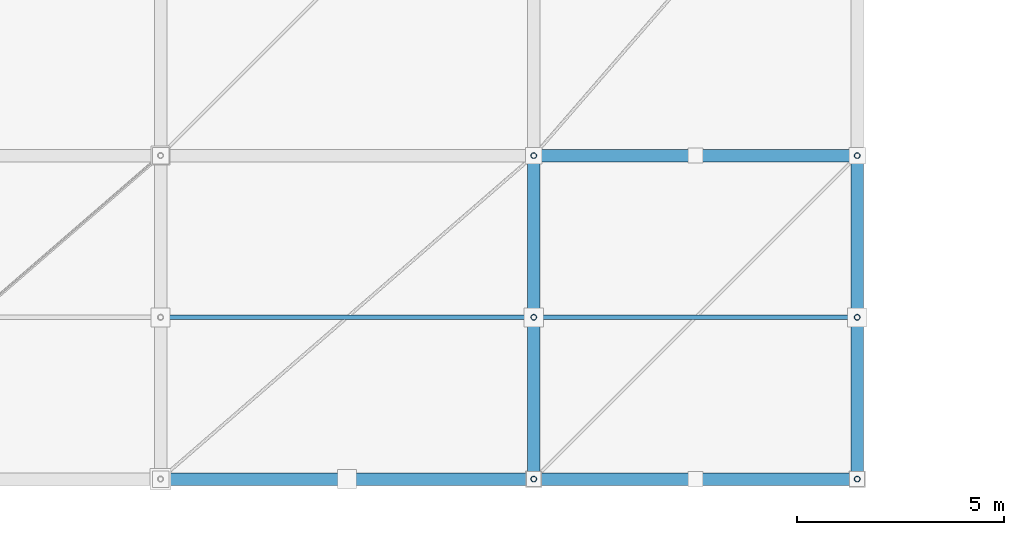
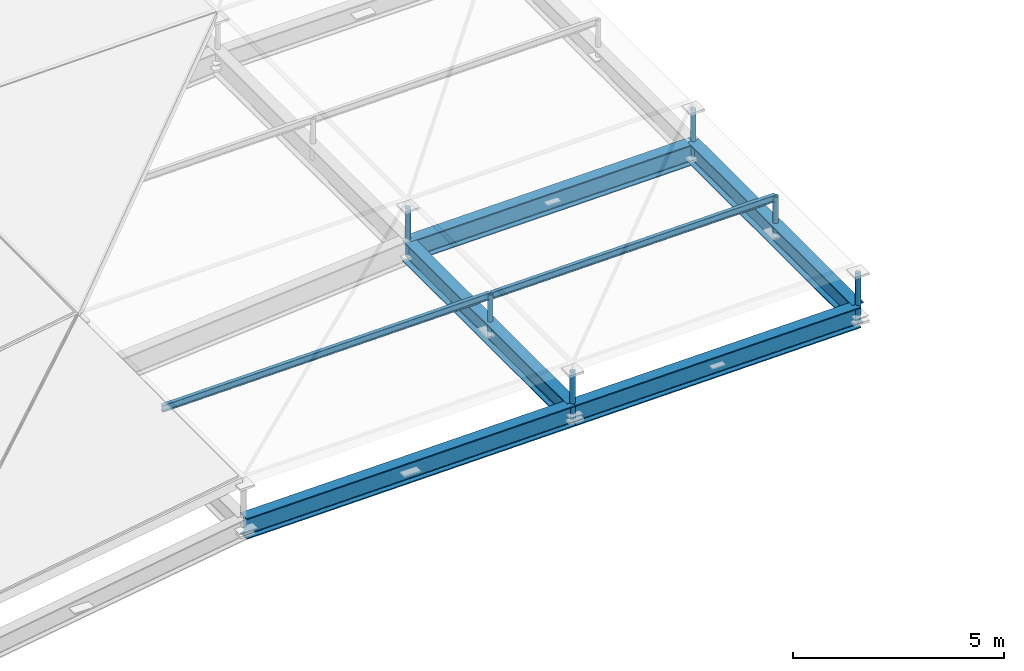
# One storey, part 51 of 80: 8 members, 5 beams.
"""IFC4 building model written with IfcOpenShell, lengths in metres."""

import ifcopenshell
import ifcopenshell.guid

model = None  # the IFC model being written
_history = None  # IfcOwnerHistory: only IFC2X3 demands one
_inside = {}  # id of a spatial element -> (the spatial element, [elements in it])
_under = {}  # id of a project, library or spatial element -> (it, [spatial elements below it])
_declared = {}  # id of a project -> (the project, [libraries it declares])
_typed = {}  # id of a type object -> (the type object, [elements of that type])
_made_of = {}  # id of a material, layer set ... -> (it, [elements and type objects made of it])


def new_model(schema):
    """Start an empty IFC model of exactly this schema.

    Asked for "IFC4X3", IfcOpenShell would pick the latest addendum, in which some entities
    have other attributes; the version numbers below select the first issue.
    IFC2X3 requires an IfcOwnerHistory on every rooted entity: one is made here for all.
    """
    global model, _history
    if schema == "IFC4X3":
        model = ifcopenshell.file(schema_version=(4, 3, 0, 0))
    else:
        model = ifcopenshell.file(schema=schema)
    _inside.clear()
    _under.clear()
    _declared.clear()
    _typed.clear()
    _made_of.clear()
    _history = None
    if model.schema == "IFC2X3":
        org = make("IfcOrganization", Name="unknown")
        user = make(
            "IfcPersonAndOrganization",
            ThePerson=make("IfcPerson", FamilyName="unknown"),
            TheOrganization=org,
        )
        app = make(
            "IfcApplication",
            ApplicationDeveloper=org,
            Version="unknown",
            ApplicationFullName="unknown",
            ApplicationIdentifier="unknown",
        )
        _history = make(
            "IfcOwnerHistory",
            OwningUser=user,
            OwningApplication=app,
            ChangeAction="ADDED",
            CreationDate=0,
        )
    return model


def make(cls, **values):
    """One entity of the class cls with the attributes given. An attribute that is None is left unset."""
    return model.create_entity(
        cls, **{name: value for name, value in values.items() if value is not None}
    )


def rooted(cls, **values):
    """An entity with a GlobalId (a new one), such as an element, a storey or a relation."""
    return make(cls, GlobalId=ifcopenshell.guid.new(), OwnerHistory=_history, **values)


def si_unit(unit_type, name, prefix=None):
    """IfcSIUnit, for example si_unit("LENGTHUNIT", "METRE", prefix="MILLI")."""
    return make("IfcSIUnit", UnitType=unit_type, Prefix=prefix, Name=name)


def assignment(units):
    """IfcUnitAssignment: the units of a project."""
    return None if units is None else make("IfcUnitAssignment", Units=units)


def point(xyz):
    """IfcCartesianPoint."""
    return None if xyz is None else make("IfcCartesianPoint", Coordinates=xyz)


def direction(xyz):
    """IfcDirection."""
    return None if xyz is None else make("IfcDirection", DirectionRatios=xyz)


def frame(location, z_axis=None, x_axis=None):
    """IfcAxis2Placement3D, a coordinate frame: its origin and axes. An axis left out is left unset."""
    return make(
        "IfcAxis2Placement3D",
        Location=point(location),
        Axis=direction(z_axis),
        RefDirection=direction(x_axis),
    )


def frame_2d(location, x_axis=None):
    """IfcAxis2Placement2D, a coordinate frame in the plane: its origin and x axis."""
    return make(
        "IfcAxis2Placement2D", Location=point(location), RefDirection=direction(x_axis)
    )


def origin():
    """The frame at (0, 0, 0) with its axes left unset."""
    return frame((0.0, 0.0, 0.0))


def origin_2d():
    """The frame at (0, 0) in the plane with its x axis left unset."""
    return frame_2d((0.0, 0.0))


def place(relative_to, where):
    """IfcLocalPlacement: puts the frame where relative to a parent placement (None: the world)."""
    return make(
        "IfcLocalPlacement", PlacementRelTo=relative_to, RelativePlacement=where
    )


def context(
    kind, dimensions, precision=None, world=None, true_north=None, identifier=None
):
    """IfcGeometricRepresentationContext, for example the 3D "Model" context."""
    return make(
        "IfcGeometricRepresentationContext",
        ContextIdentifier=identifier,
        ContextType=kind,
        CoordinateSpaceDimension=dimensions,
        Precision=precision,
        WorldCoordinateSystem=world,
        TrueNorth=true_north,
    )


def subcontext(parent, identifier, kind, view, scale=None):
    """IfcGeometricRepresentationSubContext, for example "Body" below "Model"."""
    return make(
        "IfcGeometricRepresentationSubContext",
        ContextIdentifier=identifier,
        ContextType=kind,
        ParentContext=parent,
        TargetScale=scale,
        TargetView=view,
    )


def project(units=None, contexts=None):
    """IfcProject with its units and contexts."""
    return rooted(
        "IfcProject",
        Name="project",
        RepresentationContexts=contexts,
        UnitsInContext=assignment(units),
    )


def spatial(cls, under=None, at=None, **own):
    """A site, building, storey or space (cls), placed at a placement, below another one or the project."""
    s = rooted(cls, ObjectPlacement=at, **own)
    if under is not None:
        _under.setdefault(under.id(), (under, []))[1].append(s)
    return s


def profile(cls, at=None, kind="AREA", **sizes):
    """A parametric profile (cls). Its sizes go by their IFC names, for example OverallWidth=200.0."""
    return make(cls, ProfileType=kind, Position=at, **sizes)


def hollow_circle(**sizes):
    """IfcCircleHollowProfileDef."""
    return profile("IfcCircleHollowProfileDef", **sizes)


def i_section(**sizes):
    """IfcIShapeProfileDef."""
    return profile("IfcIShapeProfileDef", **sizes)


def extrude(swept, where, along, depth):
    """IfcExtrudedAreaSolid: the profile swept, set in the frame where, extruded along a direction by depth."""
    return make(
        "IfcExtrudedAreaSolid",
        SweptArea=swept,
        Position=where,
        ExtrudedDirection=direction(along),
        Depth=depth,
    )


def shape(context_of_items, identifier, shape_type, items):
    """IfcShapeRepresentation: the items that make up one representation, for example the "Body"."""
    return make(
        "IfcShapeRepresentation",
        ContextOfItems=context_of_items,
        RepresentationIdentifier=identifier,
        RepresentationType=shape_type,
        Items=items,
    )


def material(Name=None, Category=None):
    """IfcMaterial."""
    return make("IfcMaterial", Name=Name, Category=Category)


def material_profile(
    of_material, cross_section, Name=None, Category=None, Priority=None
):
    """IfcMaterialProfile: a cross section and its material."""
    return make(
        "IfcMaterialProfile",
        Name=Name,
        Material=of_material,
        Profile=cross_section,
        Priority=Priority,
        Category=Category,
    )


def profile_set(profiles, Name=None, composite=None):
    """IfcMaterialProfileSet."""
    return make(
        "IfcMaterialProfileSet",
        Name=Name,
        MaterialProfiles=profiles,
        CompositeProfile=composite,
    )


def made_of(thing, what):
    """Note that an element or type object is made of a material, layer set ...; save() writes the relation."""
    if what is not None:
        _made_of.setdefault(what.id(), (what, []))[1].append(thing)
    return thing


def type_object(cls, material=None, **own):
    """A type object (cls), such as IfcWallType, which elements share."""
    return made_of(rooted(cls, **own), material)


def element(
    cls,
    number,
    at=None,
    inside=None,
    cuts=None,
    type_object=None,
    material=None,
    context=None,
    identifier="Body",
    shape_type=None,
    held_by="IfcProductDefinitionShape",
    body=None,
    shapes=None,
    **own,
):
    """One element of the class cls, such as IfcWall. Its Tag is "e" and its number.

    at: its placement. inside: the storey or other place that contains it. cuts: it is an
    opening in that element (IfcRelVoidsElement). A single representation is given by context,
    identifier, shape_type and body (its items); several are given by shapes. held_by: the class
    of the entity that holds the representations. save() writes the other relations.
    """
    e = rooted(cls, Tag="e%d" % number, ObjectPlacement=at, **own)
    if body is not None:
        shapes = [shape(context, identifier, shape_type, body)]
    if shapes is not None:
        e.Representation = make(held_by, Representations=shapes)
    if inside is not None:
        _inside.setdefault(inside.id(), (inside, []))[1].append(e)
    if cuts is not None:
        rooted(
            "IfcRelVoidsElement", RelatingBuildingElement=cuts, RelatedOpeningElement=e
        )
    if type_object is not None:
        _typed.setdefault(type_object.id(), (type_object, []))[1].append(e)
    return made_of(e, material)


def aggregate(whole, parts):
    """IfcRelAggregates: a whole, such as a stair, and the parts it consists of."""
    return rooted("IfcRelAggregates", RelatingObject=whole, RelatedObjects=parts)


def save(model, path):
    """Write the relations noted so far, then the file.

    IfcRelAggregates (storeys below a building ...), IfcRelContainedInSpatialStructure (elements
    in a storey), IfcRelDefinesByType, IfcRelAssociatesMaterial and IfcRelDeclares: one each for
    every whole, place, type object, material and project.
    """
    for whole, parts in _under.values():
        aggregate(whole, parts)
    for where, things in _inside.values():
        rooted(
            "IfcRelContainedInSpatialStructure",
            RelatedElements=things,
            RelatingStructure=where,
        )
    for kind, things in _typed.values():
        rooted("IfcRelDefinesByType", RelatedObjects=things, RelatingType=kind)
    for what, things in _made_of.values():
        rooted("IfcRelAssociatesMaterial", RelatedObjects=things, RelatingMaterial=what)
    for by, libraries in _declared.values():
        rooted("IfcRelDeclares", RelatingContext=by, RelatedDefinitions=libraries)
    model.write(path)


model = new_model("IFC4")

# Units and contexts
model_context = context("Model", 3, precision=1e-05, world=origin(), true_north=direction((0.0, 1.0)))
body_context = subcontext(model_context, "Body", "Model", "MODEL_VIEW")
ifc_project = project(units=[si_unit("LENGTHUNIT", "METRE"), si_unit("AREAUNIT", "SQUARE_METRE"), si_unit("VOLUMEUNIT", "CUBIC_METRE"), si_unit("PLANEANGLEUNIT", "RADIAN"), si_unit("MASSUNIT", "GRAM", prefix="KILO")], contexts=[model_context])

# Site, building, storey
site_placement = place(None, origin())
site = spatial("IfcSite", under=ifc_project, at=site_placement, CompositionType="ELEMENT")
building_placement = place(site_placement, origin())
building = spatial("IfcBuilding", under=site, at=building_placement, Name="Barlavento Convention Centre", CompositionType="ELEMENT")
storey_placement = place(building_placement, frame((0.0, 0.0, 29.800048828125)))
storey = spatial("IfcBuildingStorey", under=building, at=storey_placement, Name="RF", CompositionType="ELEMENT", Elevation=29.800048828125)

# Beams
ifc_material = material(Name="Steel S355", Category="steel")
ifc_material_profile_1 = material_profile(ifc_material, i_section(OverallWidth=0.300048828125, OverallDepth=0.60009765625, WebThickness=0.015380859375, FlangeThickness=0.030029296875, FilletRadius=0.027099609375, at=origin_2d()), Name="HEB 600")
ifc_profile_set_1 = profile_set([ifc_material_profile_1], Name="Steel S355")
beam_type = type_object("IfcBeamType", Name="STR-BM-CANT-HEB600", PredefinedType="BEAM", material=ifc_profile_set_1)
beam_1_placement = place(storey_placement, frame((63.0048828125, 0.0, 0.286865234375), z_axis=(0.999894739787, 0.0, 0.014508940219), x_axis=(0.0, 1.0, 0.0)))
element("IfcBeam", 1, at=beam_1_placement, inside=storey, type_object=beam_type, Name="Congress roof truss space frame chord", PredefinedType="BEAM", context=body_context, shape_type="SweptSolid", body=[
    extrude(i_section(OverallWidth=0.300048828125, OverallDepth=0.60009765625, WebThickness=0.015380859375, FlangeThickness=0.030029296875, FilletRadius=0.027099609375, at=origin_2d()), origin(), (0.0, 0.0, 1.0), 7.790771484375),
])
beam_2_placement = place(storey_placement, frame((54.0048828125, -7.800048828125, 0.15625), z_axis=(0.999894477056, 0.0, 0.014527035228), x_axis=(0.0, 1.0, 0.0)))
element("IfcBeam", 2, at=beam_2_placement, inside=storey, type_object=beam_type, Name="Congress roof truss space frame chord", PredefinedType="BEAM", context=body_context, shape_type="SweptSolid", body=[
    extrude(i_section(OverallWidth=0.300048828125, OverallDepth=0.60009765625, WebThickness=0.015380859375, FlangeThickness=0.030029296875, FilletRadius=0.027099609375, at=origin_2d()), origin(), (0.0, 0.0, 1.0), 8.9912109375),
])
beam_3_placement = place(storey_placement, frame((63.0048828125, -7.800048828125, 0.286865234375), z_axis=(0.999894739787, 0.0, 0.014508940219), x_axis=(0.0, 1.0, 0.0)))
element("IfcBeam", 3, at=beam_3_placement, inside=storey, type_object=beam_type, Name="Congress roof truss space frame chord", PredefinedType="BEAM", context=body_context, shape_type="SweptSolid", body=[
    extrude(i_section(OverallWidth=0.300048828125, OverallDepth=0.60009765625, WebThickness=0.015380859375, FlangeThickness=0.030029296875, FilletRadius=0.027099609375, at=origin_2d()), origin(), (0.0, 0.0, 1.0), 7.790771484375),
])
for number, where, z_axis, x_axis, name in (
    (4, (63.0, -7.794921875, 0.286865234375), (0.0, 1.0, 0.0), (-1.0, 0.0, 0.0), "Congress roof truss space frame chord"),
    (5, (70.800048828125, -7.794921875, 0.39990234375), (0.0, 1.0, 0.0), (-1.0, 0.0, 0.0), "Congress roof truss space frame chord"),
):
    element("IfcBeam", number, at=place(storey_placement, frame(where, z_axis=z_axis, x_axis=x_axis)), inside=storey, type_object=beam_type, Name=name, PredefinedType="BEAM", context=body_context, shape_type="SweptSolid", body=[
        extrude(i_section(OverallWidth=0.300048828125, OverallDepth=0.60009765625, WebThickness=0.015380859375, FlangeThickness=0.030029296875, FilletRadius=0.027099609375, at=origin_2d()), origin(), (0.0, 0.0, 1.0), 7.7900390625),
    ])

# Members
ifc_material_profile_2 = material_profile(ifc_material, hollow_circle(Radius=0.06982421875, WallThickness=0.008056640625, at=origin_2d()), Name="CHS 139.7x8.0")
ifc_profile_set_2 = profile_set([ifc_material_profile_2], Name="Steel S355")
member_type_1 = type_object("IfcMemberType", Name="STR-MEM-DIAG-CHS139", PredefinedType="BRACE", material=ifc_profile_set_2)
for number, where, z_axis, x_axis, name in (
    (6, (63.0, -7.800048828125, 0.136962890625), (0.0, 0.0, 1.0), (1.0, 0.0, 0.0), "Congress space frame vertical node post TD04"),
    (7, (63.0, 0.0, 0.136962890625), (0.0, 0.0, 1.0), (1.0, 0.0, 0.0), "Congress space frame vertical node post TD04"),
    (8, (70.800048828125, -7.800048828125, 0.25), (0.0, 0.0, 1.0), (1.0, 0.0, 0.0), "Congress space frame vertical node post TD04"),
    (9, (70.800048828125, 0.0, 0.25), (0.0, 0.0, 1.0), (1.0, 0.0, 0.0), "Congress space frame vertical node post TD04"),
):
    element("IfcMember", number, at=place(storey_placement, frame(where, z_axis=z_axis, x_axis=x_axis)), inside=storey, type_object=member_type_1, Name=name, PredefinedType="BRACE", context=body_context, shape_type="SweptSolid", body=[
        extrude(hollow_circle(Radius=0.06982421875, WallThickness=0.008056640625, at=origin_2d()), origin(), (0.0, 0.0, 1.0), 1.369873046875),
    ])
member_1_placement = place(storey_placement, frame((63.0, -3.89990234375, 0.166748046875), z_axis=(0.0, 0.0, 1.0), x_axis=(1.0, 0.0, 0.0)))
element("IfcMember", 10, at=member_1_placement, inside=storey, type_object=member_type_1, Name="Congress space frame vertical node post TD04", PredefinedType="BRACE", context=body_context, shape_type="SweptSolid", body=[
    extrude(hollow_circle(Radius=0.06982421875, WallThickness=0.008056640625, at=origin_2d()), origin(), (0.0, 0.0, 1.0), 1.19677734375),
])
member_2_placement = place(storey_placement, frame((70.800048828125, -3.89990234375, 0.280029296875), z_axis=(0.0, 0.0, 1.0), x_axis=(1.0, 0.0, 0.0)))
element("IfcMember", 11, at=member_2_placement, inside=storey, type_object=member_type_1, Name="Congress space frame vertical node post TD04", PredefinedType="BRACE", context=body_context, shape_type="SweptSolid", body=[
    extrude(hollow_circle(Radius=0.06982421875, WallThickness=0.008056640625, at=origin_2d()), origin(), (0.0, 0.0, 1.0), 1.181640625),
])
ifc_material_profile_3 = material_profile(ifc_material, i_section(OverallWidth=0.10009765625, OverallDepth=0.199951171875, WebThickness=0.005615234375, FlangeThickness=0.008544921875, FilletRadius=0.011962890625, at=origin_2d()), Name="IPE 200")
ifc_profile_set_3 = profile_set([ifc_material_profile_3], Name="Steel S355")
member_type_2 = type_object("IfcMemberType", Name="STR-MEM-PUR-IPE200", PredefinedType="PURLIN", material=ifc_profile_set_3)
member_3_placement = place(storey_placement, frame((54.02001953125, -3.89990234375, 1.193603515625), z_axis=(0.999894950811, 0.0, 0.014494390023), x_axis=(0.0, 1.0, 0.0)))
element("IfcMember", 12, at=member_3_placement, inside=storey, type_object=member_type_2, Name="Congress roof intermediate purlin PR01", PredefinedType="PURLIN", context=body_context, shape_type="SweptSolid", body=[
    extrude(i_section(OverallWidth=0.10009765625, OverallDepth=0.199951171875, WebThickness=0.005615234375, FlangeThickness=0.008544921875, FilletRadius=0.011962890625, at=origin_2d()), origin(), (0.0, 0.0, 1.0), 8.9609375),
])
member_4_placement = place(storey_placement, frame((63.02001953125, -3.89990234375, 1.30908203125), z_axis=(0.999894837982, 0.0, 0.014502171474), x_axis=(0.0, 1.0, 0.0)))
element("IfcMember", 13, at=member_4_placement, inside=storey, type_object=member_type_2, Name="Congress roof intermediate purlin PR01", PredefinedType="PURLIN", context=body_context, shape_type="SweptSolid", body=[
    extrude(i_section(OverallWidth=0.10009765625, OverallDepth=0.199951171875, WebThickness=0.005615234375, FlangeThickness=0.008544921875, FilletRadius=0.011962890625, at=origin_2d()), origin(), (0.0, 0.0, 1.0), 7.7607421875),
])

save(model, "model.ifc")
